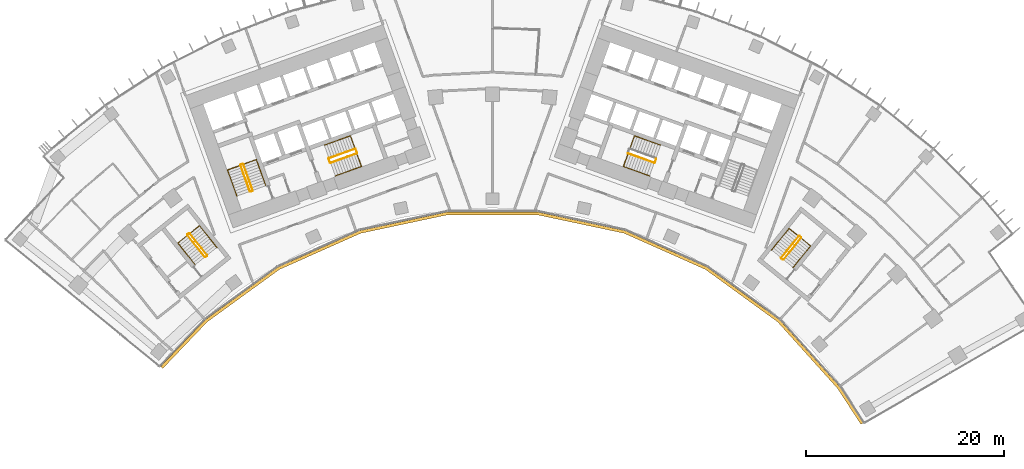
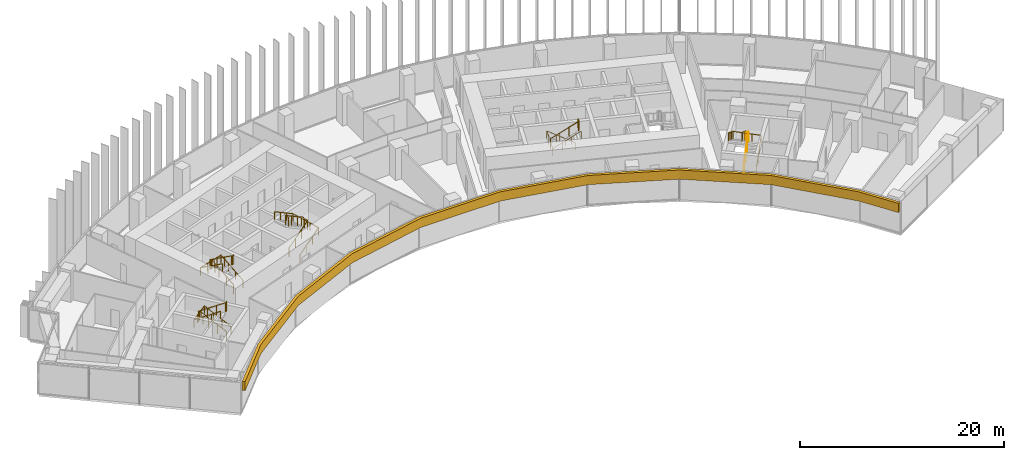
# One storey, part 21 of 22: 14 railings, 1 covering.
"""IFC4 building model written with IfcOpenShell, lengths in metres."""

from ifc_helpers import new_model, si_unit, direction, frame, origin, origin_2d, place, context, subcontext, project, spatial, polyline, circle, outline, extrude, material, layer, layer_set, type_object, element, save


model = new_model("IFC4")

# Units and contexts
model_context = context("Model", 3, precision=1e-05, world=origin(), true_north=direction((0.0, 1.0)))
body_context = subcontext(model_context, "Body", "Model", "MODEL_VIEW")
ifc_project = project(units=[si_unit("LENGTHUNIT", "METRE"), si_unit("AREAUNIT", "SQUARE_METRE"), si_unit("VOLUMEUNIT", "CUBIC_METRE"), si_unit("PLANEANGLEUNIT", "RADIAN"), si_unit("MASSUNIT", "GRAM", prefix="KILO")], contexts=[model_context])

# Site, building, storey
site_placement = place(None, origin())
site = spatial("IfcSite", under=ifc_project, at=site_placement, CompositionType="ELEMENT")
building_placement = place(site_placement, origin())
building = spatial("IfcBuilding", under=site, at=building_placement, Name="Stone Belt Terrace Tower", CompositionType="ELEMENT")
storey_placement = place(building_placement, frame((0.0, 0.0, 109.800048828125)))
storey = spatial("IfcBuildingStorey", under=building, at=storey_placement, Name="L26", CompositionType="ELEMENT", Elevation=109.800048828125)

# Railings
ifc_material_1 = material(Name="Structural steel C345", Category="steel")
railing_type_1 = type_object("IfcRailingType", Name="Stair guard 1100", PredefinedType="GUARDRAIL", material=ifc_material_1)
railing_1_placement = place(storey_placement, frame((-24.2119140625, 45.276123046875, 0.172607421875)))
element("IfcRailing", 1, at=railing_1_placement, inside=storey, type_object=railing_type_1, Name="L26 ST1A stair guard 1", PredefinedType="GUARDRAIL", context=body_context, shape_type="SweptSolid", body=[
    extrude(circle(Radius=0.02392578125, at=origin_2d()), frame((0.0, 0.0, 1.076171875), z_axis=(-0.288228637646, 0.800791768495, 0.525030280985), x_axis=(-0.940908529223, -0.338660803216, 0.0)), (0.0, 0.0, 1.0), 3.289794921875),
    extrude(circle(Radius=0.02392578125, at=origin_2d()), frame((-0.9482421875, 2.634521484375, 2.80322265625), z_axis=(-0.905209821074, 0.424964916, 0.0), x_axis=(-0.424964916, -0.905209821074, 0.0)), (0.0, 0.0, 1.0), 0.070556640625),
    extrude(circle(Radius=0.02392578125, at=origin_2d()), frame((-1.01220703125, 2.66455078125, 2.80322265625), z_axis=(-0.941105063269, -0.338114270461, 0.0), x_axis=(0.338114270461, -0.941105063269, 0.0)), (0.0, 0.0, 1.0), 0.199951171875),
    extrude(circle(Radius=0.02099609375, at=origin_2d()), origin(), (0.0, 0.0, 1.0), 1.052001953125),
    extrude(circle(Radius=0.02099609375, at=origin_2d()), frame((-0.316162109375, 0.878173828125, 0.57568359375)), (0.0, 0.0, 1.0), 1.052001953125),
    extrude(circle(Radius=0.02099609375, at=origin_2d()), frame((-0.632080078125, 1.75634765625, 1.151611328125)), (0.0, 0.0, 1.0), 1.052001953125),
    extrude(circle(Radius=0.02099609375, at=origin_2d()), frame((-0.9482421875, 2.634521484375, 1.727294921875)), (0.0, 0.0, 1.0), 1.052001953125),
    extrude(circle(Radius=0.02099609375, at=origin_2d()), frame((-1.01220703125, 2.66455078125, 1.727294921875)), (0.0, 0.0, 1.0), 1.052001953125),
    extrude(circle(Radius=0.02099609375, at=origin_2d()), frame((-1.200439453125, 2.596923828125, 1.727294921875)), (0.0, 0.0, 1.0), 1.052001953125),
])
railing_2_placement = place(storey_placement, frame((-25.4423828125, 47.80908203125, 2.07275390625)))
element("IfcRailing", 2, at=railing_2_placement, inside=storey, type_object=railing_type_1, Name="L26 ST1A stair guard 2", PredefinedType="GUARDRAIL", context=body_context, shape_type="SweptSolid", body=[
    extrude(circle(Radius=0.02392578125, at=origin_2d()), frame((0.0, 0.0, 1.076171875), z_axis=(0.288228637646, -0.800791768495, 0.525030280985), x_axis=(0.940908529223, 0.338660803216, 0.0)), (0.0, 0.0, 1.0), 3.289794921875),
    extrude(circle(Radius=0.02392578125, at=origin_2d()), frame((0.9482421875, -2.634521484375, 2.80322265625), z_axis=(0.903878284585, -0.427789722475, 0.0), x_axis=(0.427789722475, 0.903878284585, 0.0)), (0.0, 0.0, 1.0), 0.07080078125),
    extrude(circle(Radius=0.02392578125, at=origin_2d()), frame((1.01220703125, -2.664794921875, 2.80322265625), z_axis=(0.940575576748, 0.339584429008, 0.0), x_axis=(-0.339584429008, 0.940575576748, 0.0)), (0.0, 0.0, 1.0), 0.199951171875),
    extrude(circle(Radius=0.02099609375, at=origin_2d()), origin(), (0.0, 0.0, 1.0), 1.052001953125),
    extrude(circle(Radius=0.02099609375, at=origin_2d()), frame((0.316162109375, -0.878173828125, 0.57568359375)), (0.0, 0.0, 1.0), 1.052001953125),
    extrude(circle(Radius=0.02099609375, at=origin_2d()), frame((0.632080078125, -1.75634765625, 1.151611328125)), (0.0, 0.0, 1.0), 1.052001953125),
    extrude(circle(Radius=0.02099609375, at=origin_2d()), frame((0.9482421875, -2.634521484375, 1.727294921875)), (0.0, 0.0, 1.0), 1.052001953125),
    extrude(circle(Radius=0.02099609375, at=origin_2d()), frame((1.01220703125, -2.664794921875, 1.727294921875)), (0.0, 0.0, 1.0), 1.052001953125),
    extrude(circle(Radius=0.02099609375, at=origin_2d()), frame((1.2001953125, -2.596923828125, 1.727294921875)), (0.0, 0.0, 1.0), 1.052001953125),
])
railing_3_placement = place(storey_placement, frame((-16.33837890625, 48.056640625, 0.172607421875)))
element("IfcRailing", 3, at=railing_3_placement, inside=storey, type_object=railing_type_1, Name="L26 ST2A stair guard 1", PredefinedType="GUARDRAIL", context=body_context, shape_type="SweptSolid", body=[
    extrude(circle(Radius=0.02392578125, at=origin_2d()), frame((0.0, 0.0, 1.076171875), z_axis=(0.800808895155, 0.288160591223, 0.52504150989), x_axis=(-0.338583606334, 0.940936311087, 0.0)), (0.0, 0.0, 1.0), 3.289794921875),
    extrude(circle(Radius=0.02392578125, at=origin_2d()), frame((2.634521484375, 0.947998046875, 2.80322265625), z_axis=(0.427789722475, 0.903878284585, 0.0), x_axis=(-0.903878284585, 0.427789722475, 0.0)), (0.0, 0.0, 1.0), 0.07080078125),
    extrude(circle(Radius=0.02392578125, at=origin_2d()), frame((2.664794921875, 1.011962890625, 2.80322265625), z_axis=(-0.338654645739, 0.940910745459, 0.0), x_axis=(-0.940910745459, -0.338654645739, 0.0)), (0.0, 0.0, 1.0), 0.400146484375),
    extrude(circle(Radius=0.02099609375, at=origin_2d()), origin(), (0.0, 0.0, 1.0), 1.052001953125),
    extrude(circle(Radius=0.02099609375, at=origin_2d()), frame((0.878173828125, 0.31591796875, 0.57568359375)), (0.0, 0.0, 1.0), 1.052001953125),
    extrude(circle(Radius=0.02099609375, at=origin_2d()), frame((1.75634765625, 0.632080078125, 1.151611328125)), (0.0, 0.0, 1.0), 1.052001953125),
    extrude(circle(Radius=0.02099609375, at=origin_2d()), frame((2.634521484375, 0.947998046875, 1.727294921875)), (0.0, 0.0, 1.0), 1.052001953125),
    extrude(circle(Radius=0.02099609375, at=origin_2d()), frame((2.664794921875, 1.011962890625, 1.727294921875)), (0.0, 0.0, 1.0), 1.052001953125),
    extrude(circle(Radius=0.02099609375, at=origin_2d()), frame((2.529296875, 1.388427734375, 1.727294921875)), (0.0, 0.0, 1.0), 1.052001953125),
])
railing_4_placement = place(storey_placement, frame((-13.873046875, 49.47509765625, 2.07275390625)))
element("IfcRailing", 4, at=railing_4_placement, inside=storey, type_object=railing_type_1, Name="L26 ST2A stair guard 2", PredefinedType="GUARDRAIL", context=body_context, shape_type="SweptSolid", body=[
    extrude(circle(Radius=0.02392578125, at=origin_2d()), frame((0.0, 0.0, 1.076171875), z_axis=(-0.800808895155, -0.288160591223, 0.52504150989), x_axis=(0.338583606334, -0.940936311087, 0.0)), (0.0, 0.0, 1.0), 3.289794921875),
    extrude(circle(Radius=0.02392578125, at=origin_2d()), frame((-2.634521484375, -0.947998046875, 2.80322265625), z_axis=(-0.427789722475, -0.903878284585, 0.0), x_axis=(0.903878284585, -0.427789722475, 0.0)), (0.0, 0.0, 1.0), 0.07080078125),
    extrude(circle(Radius=0.02392578125, at=origin_2d()), frame((-2.664794921875, -1.011962890625, 2.80322265625), z_axis=(0.338654645739, -0.940910745459, 0.0), x_axis=(0.940910745459, 0.338654645739, 0.0)), (0.0, 0.0, 1.0), 0.400146484375),
    extrude(circle(Radius=0.02099609375, at=origin_2d()), origin(), (0.0, 0.0, 1.0), 1.052001953125),
    extrude(circle(Radius=0.02099609375, at=origin_2d()), frame((-0.878173828125, -0.31591796875, 0.57568359375)), (0.0, 0.0, 1.0), 1.052001953125),
    extrude(circle(Radius=0.02099609375, at=origin_2d()), frame((-1.75634765625, -0.632080078125, 1.151611328125)), (0.0, 0.0, 1.0), 1.052001953125),
    extrude(circle(Radius=0.02099609375, at=origin_2d()), frame((-2.634521484375, -0.947998046875, 1.727294921875)), (0.0, 0.0, 1.0), 1.052001953125),
    extrude(circle(Radius=0.02099609375, at=origin_2d()), frame((-2.664794921875, -1.011962890625, 1.727294921875)), (0.0, 0.0, 1.0), 1.052001953125),
    extrude(circle(Radius=0.02099609375, at=origin_2d()), frame((-2.529296875, -1.388427734375, 1.727294921875)), (0.0, 0.0, 1.0), 1.052001953125),
])
railing_5_placement = place(storey_placement, frame((13.703857421875, 49.004638671875, 2.07275390625)))
element("IfcRailing", 5, at=railing_5_placement, inside=storey, type_object=railing_type_1, Name="L26 ST2B stair guard 2", PredefinedType="GUARDRAIL", context=body_context, shape_type="SweptSolid", body=[
    extrude(circle(Radius=0.02392578125, at=origin_2d()), frame((0.0, 0.0, 1.076171875), z_axis=(0.800808895155, -0.288160591223, 0.52504150989), x_axis=(0.338583606334, 0.940936311087, 0.0)), (0.0, 0.0, 1.0), 3.289794921875),
    extrude(circle(Radius=0.02392578125, at=origin_2d()), frame((2.634521484375, -0.947998046875, 2.80322265625), z_axis=(0.905209821074, 0.424964916, 0.0), x_axis=(-0.424964916, 0.905209821074, 0.0)), (0.0, 0.0, 1.0), 0.070556640625),
    extrude(circle(Radius=0.02392578125, at=origin_2d()), frame((2.698486328125, -0.91796875, 2.80322265625), z_axis=(0.338654645739, 0.940910745459, 0.0), x_axis=(-0.940910745459, 0.338654645739, 0.0)), (0.0, 0.0, 1.0), 0.400146484375),
    extrude(circle(Radius=0.02099609375, at=origin_2d()), origin(), (0.0, 0.0, 1.0), 1.052001953125),
    extrude(circle(Radius=0.02099609375, at=origin_2d()), frame((0.878173828125, -0.31591796875, 0.57568359375)), (0.0, 0.0, 1.0), 1.052001953125),
    extrude(circle(Radius=0.02099609375, at=origin_2d()), frame((1.75634765625, -0.632080078125, 1.151611328125)), (0.0, 0.0, 1.0), 1.052001953125),
    extrude(circle(Radius=0.02099609375, at=origin_2d()), frame((2.634521484375, -0.947998046875, 1.727294921875)), (0.0, 0.0, 1.0), 1.052001953125),
    extrude(circle(Radius=0.02099609375, at=origin_2d()), frame((2.698486328125, -0.91796875, 1.727294921875)), (0.0, 0.0, 1.0), 1.052001953125),
    extrude(circle(Radius=0.02099609375, at=origin_2d()), frame((2.833984375, -0.54150390625, 1.727294921875)), (0.0, 0.0, 1.0), 1.052001953125),
])
railing_6_placement = place(storey_placement, frame((-28.814208984375, 38.734619140625, 0.172607421875)))
element("IfcRailing", 6, at=railing_6_placement, inside=storey, type_object=railing_type_1, Name="L26 ST3A stair guard 1", PredefinedType="GUARDRAIL", context=body_context, shape_type="SweptSolid", body=[
    extrude(circle(Radius=0.02392578125, at=origin_2d()), frame((0.0, 0.0, 1.076171875), z_axis=(-0.530306321799, 0.665665785969, 0.525037395288), x_axis=(-0.782143211408, -0.623098705543, 0.0)), (0.0, 0.0, 1.0), 3.289794921875),
    extrude(circle(Radius=0.02392578125, at=origin_2d()), frame((-1.74462890625, 2.18994140625, 2.80322265625), z_axis=(-0.993883734674, 0.110431526075, 0.0), x_axis=(-0.110431526075, -0.993883734674, 0.0)), (0.0, 0.0, 1.0), 0.07080078125),
    extrude(circle(Radius=0.02392578125, at=origin_2d()), frame((-1.81494140625, 2.19775390625, 2.80322265625), z_axis=(-0.782533463299, -0.622608527742, 0.0), x_axis=(0.622608527742, -0.782533463299, 0.0)), (0.0, 0.0, 1.0), 0.199951171875),
    extrude(circle(Radius=0.02099609375, at=origin_2d()), origin(), (0.0, 0.0, 1.0), 1.052001953125),
    extrude(circle(Radius=0.02099609375, at=origin_2d()), frame((-0.58154296875, 0.72998046875, 0.57568359375)), (0.0, 0.0, 1.0), 1.052001953125),
    extrude(circle(Radius=0.02099609375, at=origin_2d()), frame((-1.1630859375, 1.4599609375, 1.151611328125)), (0.0, 0.0, 1.0), 1.052001953125),
    extrude(circle(Radius=0.02099609375, at=origin_2d()), frame((-1.74462890625, 2.18994140625, 1.727294921875)), (0.0, 0.0, 1.0), 1.052001953125),
    extrude(circle(Radius=0.02099609375, at=origin_2d()), frame((-1.81494140625, 2.19775390625, 1.727294921875)), (0.0, 0.0, 1.0), 1.052001953125),
    extrude(circle(Radius=0.02099609375, at=origin_2d()), frame((-1.971435546875, 2.0732421875, 1.727294921875)), (0.0, 0.0, 1.0), 1.052001953125),
])
railing_7_placement = place(storey_placement, frame((-30.793701171875, 40.737548828125, 2.07275390625)))
element("IfcRailing", 7, at=railing_7_placement, inside=storey, type_object=railing_type_1, Name="L26 ST3A stair guard 2", PredefinedType="GUARDRAIL", context=body_context, shape_type="SweptSolid", body=[
    extrude(circle(Radius=0.02392578125, at=origin_2d()), frame((0.0, 0.0, 1.076171875), z_axis=(0.530359659125, -0.665639588968, 0.525016732659), x_axis=(0.782100716982, 0.62315204284, 0.0)), (0.0, 0.0, 1.0), 3.2900390625),
    extrude(circle(Radius=0.02392578125, at=origin_2d()), frame((1.744873046875, -2.18994140625, 2.80322265625), z_axis=(0.993499272973, -0.113838458361, 0.0), x_axis=(0.113838458361, 0.993499272973, 0.0)), (0.0, 0.0, 1.0), 0.07080078125),
    extrude(circle(Radius=0.02392578125, at=origin_2d()), frame((1.815185546875, -2.197998046875, 2.80322265625), z_axis=(0.781464082609, 0.623950228458, 0.0), x_axis=(-0.623950228458, 0.781464082609, 0.0)), (0.0, 0.0, 1.0), 0.199951171875),
    extrude(circle(Radius=0.02099609375, at=origin_2d()), origin(), (0.0, 0.0, 1.0), 1.052001953125),
    extrude(circle(Radius=0.02099609375, at=origin_2d()), frame((0.58154296875, -0.72998046875, 0.57568359375)), (0.0, 0.0, 1.0), 1.052001953125),
    extrude(circle(Radius=0.02099609375, at=origin_2d()), frame((1.163330078125, -1.4599609375, 1.151611328125)), (0.0, 0.0, 1.0), 1.052001953125),
    extrude(circle(Radius=0.02099609375, at=origin_2d()), frame((1.744873046875, -2.18994140625, 1.727294921875)), (0.0, 0.0, 1.0), 1.052001953125),
    extrude(circle(Radius=0.02099609375, at=origin_2d()), frame((1.815185546875, -2.197998046875, 1.727294921875)), (0.0, 0.0, 1.0), 1.052001953125),
    extrude(circle(Radius=0.02099609375, at=origin_2d()), frame((1.971435546875, -2.0732421875, 1.727294921875)), (0.0, 0.0, 1.0), 1.052001953125),
])
railing_8_placement = place(storey_placement, frame((29.39794921875, 38.281982421875, 0.172607421875)))
element("IfcRailing", 8, at=railing_8_placement, inside=storey, type_object=railing_type_1, Name="L26 ST3B stair guard 1", PredefinedType="GUARDRAIL", context=body_context, shape_type="SweptSolid", body=[
    extrude(circle(Radius=0.02392578125, at=origin_2d()), frame((0.0, 0.0, 1.076171875), z_axis=(0.536393061503, 0.660769759217, 0.525038864158), x_axis=(-0.776391310223, 0.630251166924, 0.0)), (0.0, 0.0, 1.0), 3.289794921875),
    extrude(circle(Radius=0.02392578125, at=origin_2d()), frame((1.7646484375, 2.173828125, 2.80322265625), z_axis=(-0.103251414163, 0.994655289773, 0.0), x_axis=(-0.994655289773, -0.103251414163, 0.0)), (0.0, 0.0, 1.0), 0.071044921875),
    extrude(circle(Radius=0.02392578125, at=origin_2d()), frame((1.75732421875, 2.244384765625, 2.80322265625), z_axis=(-0.776561986372, 0.630040856868, 0.0), x_axis=(-0.630040856868, -0.776561986372, 0.0)), (0.0, 0.0, 1.0), 0.199951171875),
    extrude(circle(Radius=0.02099609375, at=origin_2d()), origin(), (0.0, 0.0, 1.0), 1.052001953125),
    extrude(circle(Radius=0.02099609375, at=origin_2d()), frame((0.588134765625, 0.724609375, 0.57568359375)), (0.0, 0.0, 1.0), 1.052001953125),
    extrude(circle(Radius=0.02099609375, at=origin_2d()), frame((1.176513671875, 1.44921875, 1.151611328125)), (0.0, 0.0, 1.0), 1.052001953125),
    extrude(circle(Radius=0.02099609375, at=origin_2d()), frame((1.7646484375, 2.173828125, 1.727294921875)), (0.0, 0.0, 1.0), 1.052001953125),
    extrude(circle(Radius=0.02099609375, at=origin_2d()), frame((1.75732421875, 2.244384765625, 1.727294921875)), (0.0, 0.0, 1.0), 1.052001953125),
    extrude(circle(Radius=0.02099609375, at=origin_2d()), frame((1.60205078125, 2.370361328125, 1.727294921875)), (0.0, 0.0, 1.0), 1.052001953125),
])
railing_9_placement = place(storey_placement, frame((30.9296875, 40.64501953125, 2.07275390625)))
element("IfcRailing", 9, at=railing_9_placement, inside=storey, type_object=railing_type_1, Name="L26 ST3B stair guard 2", PredefinedType="GUARDRAIL", context=body_context, shape_type="SweptSolid", body=[
    extrude(circle(Radius=0.02392578125, at=origin_2d()), frame((0.0, 0.0, 1.076171875), z_axis=(-0.536366759382, -0.660811565066, 0.525013118792), x_axis=(0.776425942316, -0.630208502084, 0.0)), (0.0, 0.0, 1.0), 3.2900390625),
    extrude(circle(Radius=0.02392578125, at=origin_2d()), frame((-1.7646484375, -2.174072265625, 2.80322265625), z_axis=(0.103606084259, -0.994618408891, 0.0), x_axis=(0.994618408891, 0.103606084259, 0.0)), (0.0, 0.0, 1.0), 0.07080078125),
    extrude(circle(Radius=0.02392578125, at=origin_2d()), frame((-1.75732421875, -2.244384765625, 2.80322265625), z_axis=(0.776561986372, -0.630040856868, 0.0), x_axis=(0.630040856868, 0.776561986372, 0.0)), (0.0, 0.0, 1.0), 0.199951171875),
    extrude(circle(Radius=0.02099609375, at=origin_2d()), origin(), (0.0, 0.0, 1.0), 1.052001953125),
    extrude(circle(Radius=0.02099609375, at=origin_2d()), frame((-0.588134765625, -0.724609375, 0.57568359375)), (0.0, 0.0, 1.0), 1.052001953125),
    extrude(circle(Radius=0.02099609375, at=origin_2d()), frame((-1.176513671875, -1.449462890625, 1.151611328125)), (0.0, 0.0, 1.0), 1.052001953125),
    extrude(circle(Radius=0.02099609375, at=origin_2d()), frame((-1.7646484375, -2.174072265625, 1.727294921875)), (0.0, 0.0, 1.0), 1.052001953125),
    extrude(circle(Radius=0.02099609375, at=origin_2d()), frame((-1.75732421875, -2.244384765625, 1.727294921875)), (0.0, 0.0, 1.0), 1.052001953125),
    extrude(circle(Radius=0.02099609375, at=origin_2d()), frame((-1.60205078125, -2.370361328125, 1.727294921875)), (0.0, 0.0, 1.0), 1.052001953125),
])
railing_type_2 = type_object("IfcRailingType", Name="Stair handrail 900", PredefinedType="HANDRAIL", material=ifc_material_1)
railing_10_placement = place(storey_placement, frame((-22.894775390625, 45.750244140625, 0.172607421875)))
element("IfcRailing", 10, at=railing_10_placement, inside=storey, type_object=railing_type_2, Name="L26 ST1A stair handrail 1", PredefinedType="HANDRAIL", context=body_context, shape_type="SweptSolid", body=[
    extrude(circle(Radius=0.02392578125, at=origin_2d()), frame((0.0, 0.0, 0.8759765625), z_axis=(-0.288160591223, 0.800808895155, 0.52504150989), x_axis=(-0.940936311087, -0.338583606334, 0.0)), (0.0, 0.0, 1.0), 3.289794921875),
    extrude(circle(Radius=0.02392578125, at=origin_2d()), frame((-0.947998046875, 2.634521484375, 2.60302734375), z_axis=(-0.939460408074, -0.338105101667, 0.055669398135), x_axis=(0.338630230244, -0.940919532779, 0.0)), (0.0, 0.0, 1.0), 3.10498046875),
    extrude(circle(Radius=0.02392578125, at=origin_2d()), frame((-3.864990234375, 1.584716796875, 2.77587890625), z_axis=(0.288228637646, -0.800791768495, 0.525030280985), x_axis=(0.940908529223, 0.338660803216, 0.0)), (0.0, 0.0, 1.0), 3.289794921875),
    extrude(circle(Radius=0.02099609375, at=origin_2d()), origin(), (0.0, 0.0, 1.0), 0.851806640625),
    extrude(circle(Radius=0.02099609375, at=origin_2d()), frame((-0.31591796875, 0.878173828125, 0.57568359375)), (0.0, 0.0, 1.0), 0.851806640625),
    extrude(circle(Radius=0.02099609375, at=origin_2d()), frame((-0.632080078125, 1.75634765625, 1.151611328125)), (0.0, 0.0, 1.0), 0.851806640625),
    extrude(circle(Radius=0.02099609375, at=origin_2d()), frame((-0.947998046875, 2.634521484375, 1.727294921875)), (0.0, 0.0, 1.0), 0.851806640625),
    extrude(circle(Radius=0.02099609375, at=origin_2d()), frame((-1.92041015625, 2.28466796875, 1.784912109375)), (0.0, 0.0, 1.0), 0.851806640625),
    extrude(circle(Radius=0.02099609375, at=origin_2d()), frame((-2.892578125, 1.9345703125, 1.842529296875)), (0.0, 0.0, 1.0), 0.851806640625),
    extrude(circle(Radius=0.02099609375, at=origin_2d()), frame((-3.864990234375, 1.584716796875, 1.900146484375)), (0.0, 0.0, 1.0), 0.851806640625),
    extrude(circle(Radius=0.02099609375, at=origin_2d()), frame((-3.548828125, 0.70654296875, 2.475830078125)), (0.0, 0.0, 1.0), 0.851806640625),
    extrude(circle(Radius=0.02099609375, at=origin_2d()), frame((-3.23291015625, -0.171630859375, 3.0517578125)), (0.0, 0.0, 1.0), 0.851806640625),
    extrude(circle(Radius=0.02099609375, at=origin_2d()), frame((-2.916748046875, -1.0498046875, 3.62744140625)), (0.0, 0.0, 1.0), 0.851806640625),
])
railing_11_placement = place(storey_placement, frame((-15.8642578125, 46.7392578125, 0.172607421875)))
element("IfcRailing", 11, at=railing_11_placement, inside=storey, type_object=railing_type_2, Name="L26 ST2A stair handrail 1", PredefinedType="HANDRAIL", context=body_context, shape_type="SweptSolid", body=[
    extrude(circle(Radius=0.02392578125, at=origin_2d()), frame((0.0, 0.0, 0.8759765625), z_axis=(0.800791768495, 0.288228637646, 0.525030280985), x_axis=(-0.338660803216, 0.940908529223, 0.0)), (0.0, 0.0, 1.0), 3.289794921875),
    extrude(circle(Radius=0.02392578125, at=origin_2d()), frame((2.634521484375, 0.9482421875, 2.60302734375), z_axis=(-0.338158948057, 0.939634149308, 0.052308615955), x_axis=(-0.940922302781, -0.338622533404, 0.0)), (0.0, 0.0, 1.0), 3.304443359375),
    extrude(circle(Radius=0.02392578125, at=origin_2d()), frame((1.51708984375, 4.05322265625, 2.77587890625), z_axis=(-0.800791768495, -0.288228637646, 0.525030280985), x_axis=(0.338660803216, -0.940908529223, 0.0)), (0.0, 0.0, 1.0), 3.289794921875),
    extrude(circle(Radius=0.02099609375, at=origin_2d()), origin(), (0.0, 0.0, 1.0), 0.851806640625),
    extrude(circle(Radius=0.02099609375, at=origin_2d()), frame((0.878173828125, 0.316162109375, 0.57568359375)), (0.0, 0.0, 1.0), 0.851806640625),
    extrude(circle(Radius=0.02099609375, at=origin_2d()), frame((1.75634765625, 0.632080078125, 1.151611328125)), (0.0, 0.0, 1.0), 0.851806640625),
    extrude(circle(Radius=0.02099609375, at=origin_2d()), frame((2.634521484375, 0.9482421875, 1.727294921875)), (0.0, 0.0, 1.0), 0.851806640625),
    extrude(circle(Radius=0.02099609375, at=origin_2d()), frame((2.261962890625, 1.983154296875, 1.784912109375)), (0.0, 0.0, 1.0), 0.851806640625),
    extrude(circle(Radius=0.02099609375, at=origin_2d()), frame((1.8896484375, 3.018310546875, 1.842529296875)), (0.0, 0.0, 1.0), 0.851806640625),
    extrude(circle(Radius=0.02099609375, at=origin_2d()), frame((1.51708984375, 4.05322265625, 1.900146484375)), (0.0, 0.0, 1.0), 0.851806640625),
    extrude(circle(Radius=0.02099609375, at=origin_2d()), frame((0.638916015625, 3.737060546875, 2.475830078125)), (0.0, 0.0, 1.0), 0.851806640625),
    extrude(circle(Radius=0.02099609375, at=origin_2d()), frame((-0.2392578125, 3.421142578125, 3.0517578125)), (0.0, 0.0, 1.0), 0.851806640625),
    extrude(circle(Radius=0.02099609375, at=origin_2d()), frame((-1.117431640625, 3.10498046875, 3.62744140625)), (0.0, 0.0, 1.0), 0.851806640625),
])
railing_12_placement = place(storey_placement, frame((16.981689453125, 49.84423828125, 0.172607421875)))
element("IfcRailing", 12, at=railing_12_placement, inside=storey, type_object=railing_type_2, Name="L26 ST2B stair handrail 1", PredefinedType="HANDRAIL", context=body_context, shape_type="SweptSolid", body=[
    extrude(circle(Radius=0.02392578125, at=origin_2d()), frame((0.0, 0.0, 0.8759765625), z_axis=(-0.800791768495, 0.288228637646, 0.525030280985), x_axis=(-0.338660803216, -0.940908529223, 0.0)), (0.0, 0.0, 1.0), 3.289794921875),
    extrude(circle(Radius=0.02392578125, at=origin_2d()), frame((-2.634521484375, 0.9482421875, 2.60302734375), z_axis=(-0.338158948057, -0.939634149308, 0.052308615955), x_axis=(0.940922302781, -0.338622533404, 0.0)), (0.0, 0.0, 1.0), 3.304443359375),
    extrude(circle(Radius=0.02392578125, at=origin_2d()), frame((-3.751953125, -2.15673828125, 2.77587890625), z_axis=(0.800791768495, -0.288228637646, 0.525030280985), x_axis=(0.338660803216, 0.940908529223, 0.0)), (0.0, 0.0, 1.0), 3.289794921875),
    extrude(circle(Radius=0.02099609375, at=origin_2d()), origin(), (0.0, 0.0, 1.0), 0.851806640625),
    extrude(circle(Radius=0.02099609375, at=origin_2d()), frame((-0.878173828125, 0.316162109375, 0.57568359375)), (0.0, 0.0, 1.0), 0.851806640625),
    extrude(circle(Radius=0.02099609375, at=origin_2d()), frame((-1.75634765625, 0.632080078125, 1.151611328125)), (0.0, 0.0, 1.0), 0.851806640625),
    extrude(circle(Radius=0.02099609375, at=origin_2d()), frame((-2.634521484375, 0.9482421875, 1.727294921875)), (0.0, 0.0, 1.0), 0.851806640625),
    extrude(circle(Radius=0.02099609375, at=origin_2d()), frame((-3.007080078125, -0.086669921875, 1.784912109375)), (0.0, 0.0, 1.0), 0.851806640625),
    extrude(circle(Radius=0.02099609375, at=origin_2d()), frame((-3.37939453125, -1.121826171875, 1.842529296875)), (0.0, 0.0, 1.0), 0.851806640625),
    extrude(circle(Radius=0.02099609375, at=origin_2d()), frame((-3.751953125, -2.15673828125, 1.900146484375)), (0.0, 0.0, 1.0), 0.851806640625),
    extrude(circle(Radius=0.02099609375, at=origin_2d()), frame((-2.873779296875, -2.472900390625, 2.475830078125)), (0.0, 0.0, 1.0), 0.851806640625),
    extrude(circle(Radius=0.02099609375, at=origin_2d()), frame((-1.99560546875, -2.788818359375, 3.0517578125)), (0.0, 0.0, 1.0), 0.851806640625),
    extrude(circle(Radius=0.02099609375, at=origin_2d()), frame((-1.117431640625, -3.10498046875, 3.62744140625)), (0.0, 0.0, 1.0), 0.851806640625),
])
railing_13_placement = place(storey_placement, frame((-27.836669921875, 39.513427734375, 0.172607421875)))
element("IfcRailing", 13, at=railing_13_placement, inside=storey, type_object=railing_type_2, Name="L26 ST3A stair handrail 1", PredefinedType="HANDRAIL", context=body_context, shape_type="SweptSolid", body=[
    extrude(circle(Radius=0.02392578125, at=origin_2d()), frame((0.0, 0.0, 0.8759765625), z_axis=(-0.530306321799, 0.665665785969, 0.525037395288), x_axis=(-0.782143211408, -0.623098705543, 0.0)), (0.0, 0.0, 1.0), 3.289794921875),
    extrude(circle(Radius=0.02392578125, at=origin_2d()), frame((-1.74462890625, 2.18994140625, 2.60302734375), z_axis=(-0.78065703189, -0.621914732429, 0.061617076765), x_axis=(0.623098705543, -0.782143211408, 0.0)), (0.0, 0.0, 1.0), 2.80517578125),
    extrude(circle(Radius=0.02392578125, at=origin_2d()), frame((-3.9345703125, 0.4453125, 2.77587890625), z_axis=(0.530306321799, -0.665665785969, 0.525037395288), x_axis=(0.782143211408, 0.623098705543, 0.0)), (0.0, 0.0, 1.0), 3.289794921875),
    extrude(circle(Radius=0.02099609375, at=origin_2d()), origin(), (0.0, 0.0, 1.0), 0.851806640625),
    extrude(circle(Radius=0.02099609375, at=origin_2d()), frame((-0.58154296875, 0.72998046875, 0.57568359375)), (0.0, 0.0, 1.0), 0.851806640625),
    extrude(circle(Radius=0.02099609375, at=origin_2d()), frame((-1.1630859375, 1.4599609375, 1.151611328125)), (0.0, 0.0, 1.0), 0.851806640625),
    extrude(circle(Radius=0.02099609375, at=origin_2d()), frame((-1.74462890625, 2.18994140625, 1.727294921875)), (0.0, 0.0, 1.0), 0.851806640625),
    extrude(circle(Radius=0.02099609375, at=origin_2d()), frame((-2.474609375, 1.6083984375, 1.784912109375)), (0.0, 0.0, 1.0), 0.851806640625),
    extrude(circle(Radius=0.02099609375, at=origin_2d()), frame((-3.20458984375, 1.02685546875, 1.842529296875)), (0.0, 0.0, 1.0), 0.851806640625),
    extrude(circle(Radius=0.02099609375, at=origin_2d()), frame((-3.9345703125, 0.4453125, 1.900146484375)), (0.0, 0.0, 1.0), 0.851806640625),
    extrude(circle(Radius=0.02099609375, at=origin_2d()), frame((-3.35302734375, -0.28466796875, 2.475830078125)), (0.0, 0.0, 1.0), 0.851806640625),
    extrude(circle(Radius=0.02099609375, at=origin_2d()), frame((-2.771484375, -1.0146484375, 3.0517578125)), (0.0, 0.0, 1.0), 0.851806640625),
    extrude(circle(Radius=0.02099609375, at=origin_2d()), frame((-2.18994140625, -1.74462890625, 3.62744140625)), (0.0, 0.0, 1.0), 0.851806640625),
])
railing_14_placement = place(storey_placement, frame((30.36865234375, 37.494140625, 0.172607421875)))
element("IfcRailing", 14, at=railing_14_placement, inside=storey, type_object=railing_type_2, Name="L26 ST3B stair handrail 1", PredefinedType="HANDRAIL", context=body_context, shape_type="SweptSolid", body=[
    extrude(circle(Radius=0.02392578125, at=origin_2d()), frame((0.0, 0.0, 0.8759765625), z_axis=(0.536366759382, 0.660811565066, 0.525013118792), x_axis=(-0.776425942316, 0.630208502084, 0.0)), (0.0, 0.0, 1.0), 3.2900390625),
    extrude(circle(Radius=0.02392578125, at=origin_2d()), frame((1.7646484375, 2.174072265625, 2.60302734375), z_axis=(-0.774950814199, 0.629011171817, 0.061613158501), x_axis=(-0.630208502084, -0.776425942316, 0.0)), (0.0, 0.0, 1.0), 2.805419921875),
    extrude(circle(Radius=0.02392578125, at=origin_2d()), frame((-0.409423828125, 3.938720703125, 2.77587890625), z_axis=(-0.536366759382, -0.660811565066, 0.525013118792), x_axis=(0.776425942316, -0.630208502084, 0.0)), (0.0, 0.0, 1.0), 3.2900390625),
    extrude(circle(Radius=0.02099609375, at=origin_2d()), origin(), (0.0, 0.0, 1.0), 0.851806640625),
    extrude(circle(Radius=0.02099609375, at=origin_2d()), frame((0.588134765625, 0.724609375, 0.57568359375)), (0.0, 0.0, 1.0), 0.851806640625),
    extrude(circle(Radius=0.02099609375, at=origin_2d()), frame((1.176513671875, 1.449462890625, 1.151611328125)), (0.0, 0.0, 1.0), 0.851806640625),
    extrude(circle(Radius=0.02099609375, at=origin_2d()), frame((1.7646484375, 2.174072265625, 1.727294921875)), (0.0, 0.0, 1.0), 0.851806640625),
    extrude(circle(Radius=0.02099609375, at=origin_2d()), frame((1.0400390625, 2.76220703125, 1.784912109375)), (0.0, 0.0, 1.0), 0.851806640625),
    extrude(circle(Radius=0.02099609375, at=origin_2d()), frame((0.315185546875, 3.3505859375, 1.842529296875)), (0.0, 0.0, 1.0), 0.851806640625),
    extrude(circle(Radius=0.02099609375, at=origin_2d()), frame((-0.409423828125, 3.938720703125, 1.900146484375)), (0.0, 0.0, 1.0), 0.851806640625),
    extrude(circle(Radius=0.02099609375, at=origin_2d()), frame((-0.99755859375, 3.214111328125, 2.475830078125)), (0.0, 0.0, 1.0), 0.851806640625),
    extrude(circle(Radius=0.02099609375, at=origin_2d()), frame((-1.5859375, 2.4892578125, 3.0517578125)), (0.0, 0.0, 1.0), 0.851806640625),
    extrude(circle(Radius=0.02099609375, at=origin_2d()), frame((-2.174072265625, 1.7646484375, 3.62744140625)), (0.0, 0.0, 1.0), 0.851806640625),
])

# Covering
ifc_material_2 = material(Name="Terracotta coloured glazed ceramic", Category="masonry")
ifc_layer = layer(ifc_material_2, 0.300048828125)
ifc_layer_set = layer_set([ifc_layer], Name="Terracotta spandrel band 300 x 1100")
covering_type = type_object("IfcCoveringType", Name="Terracotta spandrel band 300 x 1100", PredefinedType="CLADDING", material=ifc_layer_set)
covering_placement = place(storey_placement, frame((0.0, 0.0, 2.699951171875)))
element("IfcCovering", 15, at=covering_placement, inside=storey, type_object=covering_type, Name="BAND L26", PredefinedType="CLADDING", context=body_context, shape_type="SweptSolid", body=[
    extrude(outline(polyline([(-33.519287109375, 27.490478515625), (-29.008056640625, 32.21337890625), (-21.674560546875, 37.54150390625), (-13.395751953125, 41.2275390625), (-4.53125, 43.11181640625), (4.53125, 43.11181640625), (13.395751953125, 41.2275390625), (21.674560546875, 37.54150390625), (29.00634765625, 32.214599609375), (35.072998046875, 25.47705078125), (37.46875, 21.802001953125), (37.217529296875, 21.63818359375), (34.83447265625, 25.29345703125), (28.804443359375, 31.990478515625), (21.523681640625, 37.2802734375), (13.302490234375, 40.940673828125), (4.499755859375, 42.811767578125), (-4.499755859375, 42.811767578125), (-13.302490234375, 40.940673828125), (-21.523681640625, 37.2802734375), (-28.809814453125, 31.986572265625), (-33.30224609375, 27.283203125), (-33.519287109375, 27.490478515625)])), origin(), (0.0, 0.0, 1.0), 1.10009765625),
])

save(model, "model.ifc")
